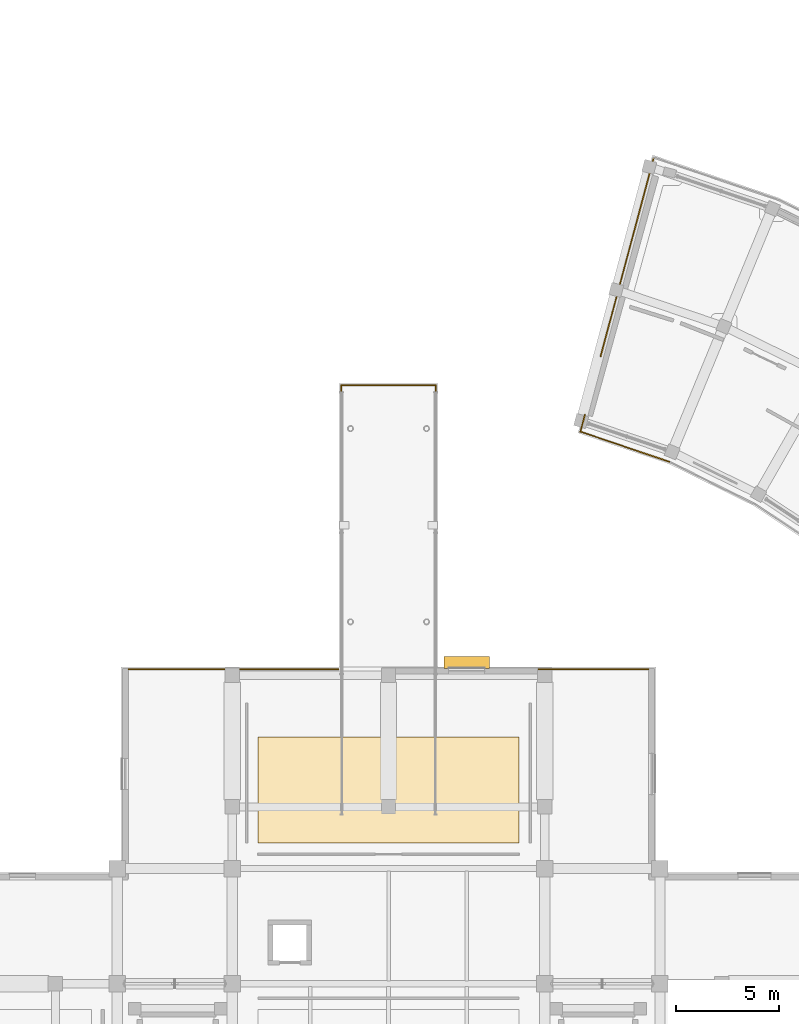
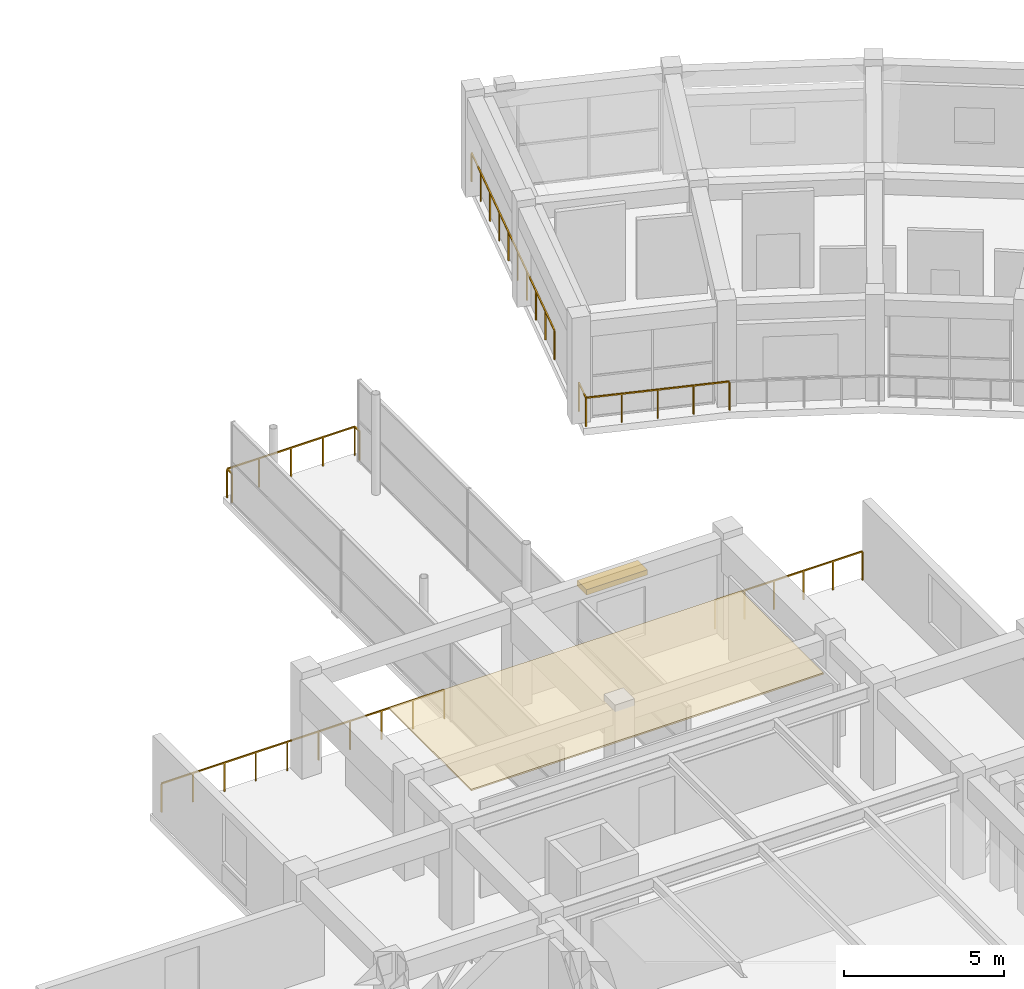
# One storey, part 67 of 70: 8 railings, 1 covering, 1 shading device.
"""IFC4 building model written with IfcOpenShell, lengths in metres."""

from ifc_helpers import new_model, si_unit, direction, frame, origin, origin_2d, place, context, subcontext, project, spatial, polyline, rectangle, outline, extrude, material, layer, layer_set, type_object, element, save


model = new_model("IFC4")

# Units and contexts
model_context = context("Model", 3, precision=1e-05, world=origin(), true_north=direction((0.0, 1.0)))
body_context = subcontext(model_context, "Body", "Model", "MODEL_VIEW")
ifc_project = project(units=[si_unit("LENGTHUNIT", "METRE"), si_unit("AREAUNIT", "SQUARE_METRE"), si_unit("VOLUMEUNIT", "CUBIC_METRE"), si_unit("PLANEANGLEUNIT", "RADIAN"), si_unit("MASSUNIT", "GRAM", prefix="KILO")], contexts=[model_context])

# Site, building, storey
site_placement = place(None, origin())
site = spatial("IfcSite", under=ifc_project, at=site_placement, CompositionType="ELEMENT")
building_placement = place(site_placement, origin())
building = spatial("IfcBuilding", under=site, at=building_placement, Name="Saryqyr Civic Hall", CompositionType="ELEMENT")
storey_placement = place(building_placement, frame((0.0, 0.0, 13.199951171875)))
storey = spatial("IfcBuildingStorey", under=building, at=storey_placement, Name="L03", CompositionType="ELEMENT", Elevation=13.199951171875)

# Shading device
ifc_material_1 = material(Name="Warm brushed brass-anodised aluminium", Category="aluminium")
shading_device_type = type_object("IfcShadingDeviceType", Name="ENV-SHD-LOUVRE", PredefinedType="JALOUSIE", material=ifc_material_1)
shading_device_placement = place(storey_placement, frame((60.800048828125, 107.22509765625, 2.88525390625), z_axis=(0.0, 0.0, 1.0), x_axis=(1.0, 0.0, 0.0)))
element("IfcShadingDevice", 1, at=shading_device_placement, inside=storey, type_object=shading_device_type, Name="Warm brass exterior louvre hood L03-05", PredefinedType="JALOUSIE", context=body_context, shape_type="SweptSolid", body=[
    extrude(rectangle(XDim=2.199951171875, YDim=0.60009765625, at=origin_2d()), origin(), (0.0, 0.0, 1.0), 0.199951171875),
])

# Covering
ifc_material_2 = material(Name="Mineral-fibre acoustic ceiling tile", Category="acoustic_tile")
ifc_layer_1 = layer(ifc_material_2, 0.06005859375, Name="Mineral-fibre acoustic ceiling tile")
ifc_layer_set_1 = layer_set([ifc_layer_1], Name="Mineral-fibre acoustic ceiling tile")
covering_type = type_object("IfcCoveringType", Name="INT-COV-CEIL-60", PredefinedType="CEILING", material=ifc_layer_set_1)
covering_placement = place(storey_placement, frame((0.0, 0.0, 3.72998046875)))
element("IfcCovering", 2, at=covering_placement, inside=storey, type_object=covering_type, Name="Acoustic ceiling Members' Policy Briefing Salon", PredefinedType="CEILING", context=body_context, shape_type="SweptSolid", body=[
    extrude(outline(polyline([(50.64990234375, 98.449951171875), (50.64990234375, 103.60009765625), (63.35009765625, 103.60009765625), (63.35009765625, 98.449951171875), (50.64990234375, 98.449951171875)])), origin(), (0.0, 0.0, 1.0), 0.06005859375),
])

# Railings
ifc_material_3 = material(Name="Warm brushed brass and laminated glass", Category="glass")
ifc_layer_2 = layer(ifc_material_3, 0.06005859375, Name="Warm brushed brass and laminated glass")
ifc_layer_set_2 = layer_set([ifc_layer_2], Name="Warm brushed brass and laminated glass")
railing_type = type_object("IfcRailingType", Name="INT-RLG-BAL-1100", PredefinedType="BALUSTRADE", material=ifc_layer_set_2)
railing_1_placement = place(storey_placement, frame((44.364990234375, 106.89990234375, 0.0)))
element("IfcRailing", 3, at=railing_1_placement, inside=storey, type_object=railing_type, Name="Interior deck safety balustrade L03-026", PredefinedType="BALUSTRADE", context=body_context, shape_type="SweptSolid", body=[
    extrude(rectangle(XDim=0.048095703125, YDim=0.048095703125, at=origin_2d()), frame((0.0, 0.0, 1.09619140625), z_axis=(1.0, 0.0, 0.0), x_axis=(0.0, 1.0, 0.0)), (0.0, 0.0, 1.0), 10.195068359375),
    extrude(rectangle(XDim=0.0419921875, YDim=0.0419921875, at=origin_2d()), origin(), (0.0, 0.0, 1.0), 1.072021484375),
    extrude(rectangle(XDim=0.0419921875, YDim=0.0419921875, at=origin_2d()), frame((1.1328125, 0.0, 0.0)), (0.0, 0.0, 1.0), 1.072021484375),
    extrude(rectangle(XDim=0.0419921875, YDim=0.0419921875, at=origin_2d()), frame((2.265625, 0.0, 0.0)), (0.0, 0.0, 1.0), 1.072021484375),
    extrude(rectangle(XDim=0.0419921875, YDim=0.0419921875, at=origin_2d()), frame((3.3984375, 0.0, 0.0)), (0.0, 0.0, 1.0), 1.072021484375),
    extrude(rectangle(XDim=0.0419921875, YDim=0.0419921875, at=origin_2d()), frame((4.53125, 0.0, 0.0)), (0.0, 0.0, 1.0), 1.072021484375),
    extrude(rectangle(XDim=0.0419921875, YDim=0.0419921875, at=origin_2d()), frame((5.663818359375, 0.0, 0.0)), (0.0, 0.0, 1.0), 1.072021484375),
    extrude(rectangle(XDim=0.0419921875, YDim=0.0419921875, at=origin_2d()), frame((6.796630859375, 0.0, 0.0)), (0.0, 0.0, 1.0), 1.072021484375),
    extrude(rectangle(XDim=0.0419921875, YDim=0.0419921875, at=origin_2d()), frame((7.929443359375, 0.0, 0.0)), (0.0, 0.0, 1.0), 1.072021484375),
    extrude(rectangle(XDim=0.0419921875, YDim=0.0419921875, at=origin_2d()), frame((9.062255859375, 0.0, 0.0)), (0.0, 0.0, 1.0), 1.072021484375),
    extrude(rectangle(XDim=0.0419921875, YDim=0.0419921875, at=origin_2d()), frame((10.195068359375, 0.0, 0.0)), (0.0, 0.0, 1.0), 1.072021484375),
])
railing_2_placement = place(storey_placement, frame((54.699951171875, 120.39990234375, 0.0)))
element("IfcRailing", 4, at=railing_2_placement, inside=storey, type_object=railing_type, Name="Interior deck safety balustrade L03-027", PredefinedType="BALUSTRADE", context=body_context, shape_type="SweptSolid", body=[
    extrude(rectangle(XDim=0.048095703125, YDim=0.048095703125, at=origin_2d()), frame((0.0, 0.0, 1.09619140625), z_axis=(0.0, 1.0, 0.0), x_axis=(-1.0, 0.0, 0.0)), (0.0, 0.0, 1.0), 0.300048828125),
    extrude(rectangle(XDim=0.0419921875, YDim=0.0419921875, at=origin_2d()), origin(), (0.0, 0.0, 1.0), 1.072021484375),
    extrude(rectangle(XDim=0.0419921875, YDim=0.0419921875, at=origin_2d()), frame((0.0, 0.300048828125, 0.0)), (0.0, 0.0, 1.0), 1.072021484375),
])
railing_3_placement = place(storey_placement, frame((54.699951171875, 120.699951171875, 0.0)))
element("IfcRailing", 5, at=railing_3_placement, inside=storey, type_object=railing_type, Name="Interior deck safety balustrade L03-028", PredefinedType="BALUSTRADE", context=body_context, shape_type="SweptSolid", body=[
    extrude(rectangle(XDim=0.048095703125, YDim=0.048095703125, at=origin_2d()), frame((0.0, 0.0, 1.09619140625), z_axis=(1.0, 0.0, 0.0), x_axis=(0.0, 1.0, 0.0)), (0.0, 0.0, 1.0), 4.60009765625),
    extrude(rectangle(XDim=0.0419921875, YDim=0.0419921875, at=origin_2d()), origin(), (0.0, 0.0, 1.0), 1.072021484375),
    extrude(rectangle(XDim=0.0419921875, YDim=0.0419921875, at=origin_2d()), frame((1.14990234375, 0.0, 0.0)), (0.0, 0.0, 1.0), 1.072021484375),
    extrude(rectangle(XDim=0.0419921875, YDim=0.0419921875, at=origin_2d()), frame((2.300048828125, 0.0, 0.0)), (0.0, 0.0, 1.0), 1.072021484375),
    extrude(rectangle(XDim=0.0419921875, YDim=0.0419921875, at=origin_2d()), frame((3.4501953125, 0.0, 0.0)), (0.0, 0.0, 1.0), 1.072021484375),
    extrude(rectangle(XDim=0.0419921875, YDim=0.0419921875, at=origin_2d()), frame((4.60009765625, 0.0, 0.0)), (0.0, 0.0, 1.0), 1.072021484375),
])
railing_4_placement = place(storey_placement, frame((59.300048828125, 120.699951171875, 0.0)))
element("IfcRailing", 6, at=railing_4_placement, inside=storey, type_object=railing_type, Name="Interior deck safety balustrade L03-029", PredefinedType="BALUSTRADE", context=body_context, shape_type="SweptSolid", body=[
    extrude(rectangle(XDim=0.048095703125, YDim=0.048095703125, at=origin_2d()), frame((0.0, 0.0, 1.09619140625), z_axis=(0.0, -1.0, 0.0), x_axis=(1.0, 0.0, 0.0)), (0.0, 0.0, 1.0), 0.300048828125),
    extrude(rectangle(XDim=0.0419921875, YDim=0.0419921875, at=origin_2d()), origin(), (0.0, 0.0, 1.0), 1.072021484375),
    extrude(rectangle(XDim=0.0419921875, YDim=0.0419921875, at=origin_2d()), frame((0.0, -0.300048828125, 0.0)), (0.0, 0.0, 1.0), 1.072021484375),
])
railing_5_placement = place(storey_placement, frame((64.31494140625, 106.89990234375, 0.0)))
element("IfcRailing", 7, at=railing_5_placement, inside=storey, type_object=railing_type, Name="Interior deck safety balustrade L03-030", PredefinedType="BALUSTRADE", context=body_context, shape_type="SweptSolid", body=[
    extrude(rectangle(XDim=0.048095703125, YDim=0.048095703125, at=origin_2d()), frame((0.0, 0.0, 1.09619140625), z_axis=(1.0, 0.0, 0.0), x_axis=(0.0, 1.0, 0.0)), (0.0, 0.0, 1.0), 5.320068359375),
    extrude(rectangle(XDim=0.0419921875, YDim=0.0419921875, at=origin_2d()), origin(), (0.0, 0.0, 1.0), 1.072021484375),
    extrude(rectangle(XDim=0.0419921875, YDim=0.0419921875, at=origin_2d()), frame((1.06396484375, 0.0, 0.0)), (0.0, 0.0, 1.0), 1.072021484375),
    extrude(rectangle(XDim=0.0419921875, YDim=0.0419921875, at=origin_2d()), frame((2.1279296875, 0.0, 0.0)), (0.0, 0.0, 1.0), 1.072021484375),
    extrude(rectangle(XDim=0.0419921875, YDim=0.0419921875, at=origin_2d()), frame((3.192138671875, 0.0, 0.0)), (0.0, 0.0, 1.0), 1.072021484375),
    extrude(rectangle(XDim=0.0419921875, YDim=0.0419921875, at=origin_2d()), frame((4.256103515625, 0.0, 0.0)), (0.0, 0.0, 1.0), 1.072021484375),
    extrude(rectangle(XDim=0.0419921875, YDim=0.0419921875, at=origin_2d()), frame((5.320068359375, 0.0, 0.0)), (0.0, 0.0, 1.0), 1.072021484375),
])
railing_6_placement = place(storey_placement, frame((70.661865234375, 116.982666015625, 0.0)))
element("IfcRailing", 8, at=railing_6_placement, inside=storey, type_object=railing_type, Name="Interior deck safety balustrade L03-044", PredefinedType="BALUSTRADE", context=body_context, shape_type="SweptSolid", body=[
    extrude(rectangle(XDim=0.048095703125, YDim=0.048095703125, at=origin_2d()), frame((0.0, 0.0, 1.09619140625), z_axis=(-0.946921791476, 0.321464027269, 0.0), x_axis=(-0.321464027269, -0.946921791476, 0.0)), (0.0, 0.0, 1.0), 4.569580078125),
    extrude(rectangle(XDim=0.0419921875, YDim=0.0419921875, at=origin_2d()), origin(), (0.0, 0.0, 1.0), 1.072021484375),
    extrude(rectangle(XDim=0.0419921875, YDim=0.0419921875, at=origin_2d()), frame((-1.081787109375, 0.3671875, 0.0)), (0.0, 0.0, 1.0), 1.072021484375),
    extrude(rectangle(XDim=0.0419921875, YDim=0.0419921875, at=origin_2d()), frame((-2.16357421875, 0.734375, 0.0)), (0.0, 0.0, 1.0), 1.072021484375),
    extrude(rectangle(XDim=0.0419921875, YDim=0.0419921875, at=origin_2d()), frame((-3.245361328125, 1.101806640625, 0.0)), (0.0, 0.0, 1.0), 1.072021484375),
    extrude(rectangle(XDim=0.0419921875, YDim=0.0419921875, at=origin_2d()), frame((-4.3271484375, 1.468994140625, 0.0)), (0.0, 0.0, 1.0), 1.072021484375),
])
railing_7_placement = place(storey_placement, frame((66.334716796875, 118.45166015625, 0.0)))
element("IfcRailing", 9, at=railing_7_placement, inside=storey, type_object=railing_type, Name="Interior deck safety balustrade L03-045", PredefinedType="BALUSTRADE", context=body_context, shape_type="SweptSolid", body=[
    extrude(rectangle(XDim=0.048095703125, YDim=0.048095703125, at=origin_2d()), frame((0.0, 0.0, 1.09619140625), z_axis=(0.258797820574, 0.965931513134, 0.0), x_axis=(-0.965931513134, 0.258797820574, 0.0)), (0.0, 0.0, 1.0), 0.856689453125),
    extrude(rectangle(XDim=0.0419921875, YDim=0.0419921875, at=origin_2d()), origin(), (0.0, 0.0, 1.0), 1.072021484375),
    extrude(rectangle(XDim=0.0419921875, YDim=0.0419921875, at=origin_2d()), frame((0.2216796875, 0.827392578125, 0.0)), (0.0, 0.0, 1.0), 1.072021484375),
])
railing_8_placement = place(storey_placement, frame((67.3134765625, 122.104248046875, 0.0)))
element("IfcRailing", 10, at=railing_8_placement, inside=storey, type_object=railing_type, Name="Interior deck safety balustrade L03-046", PredefinedType="BALUSTRADE", context=body_context, shape_type="SweptSolid", body=[
    extrude(rectangle(XDim=0.048095703125, YDim=0.048095703125, at=origin_2d()), frame((0.0, 0.0, 1.09619140625), z_axis=(0.258831910076, 0.965922379038, 0.0), x_axis=(-0.965922379038, 0.258831910076, 0.0)), (0.0, 0.0, 1.0), 10.01806640625),
    extrude(rectangle(XDim=0.0419921875, YDim=0.0419921875, at=origin_2d()), origin(), (0.0, 0.0, 1.0), 1.072021484375),
    extrude(rectangle(XDim=0.0419921875, YDim=0.0419921875, at=origin_2d()), frame((0.2880859375, 1.0751953125, 0.0)), (0.0, 0.0, 1.0), 1.072021484375),
    extrude(rectangle(XDim=0.0419921875, YDim=0.0419921875, at=origin_2d()), frame((0.576171875, 2.150390625, 0.0)), (0.0, 0.0, 1.0), 1.072021484375),
    extrude(rectangle(XDim=0.0419921875, YDim=0.0419921875, at=origin_2d()), frame((0.8642578125, 3.2255859375, 0.0)), (0.0, 0.0, 1.0), 1.072021484375),
    extrude(rectangle(XDim=0.0419921875, YDim=0.0419921875, at=origin_2d()), frame((1.15234375, 4.30078125, 0.0)), (0.0, 0.0, 1.0), 1.072021484375),
    extrude(rectangle(XDim=0.0419921875, YDim=0.0419921875, at=origin_2d()), frame((1.440673828125, 5.3759765625, 0.0)), (0.0, 0.0, 1.0), 1.072021484375),
    extrude(rectangle(XDim=0.0419921875, YDim=0.0419921875, at=origin_2d()), frame((1.728759765625, 6.451171875, 0.0)), (0.0, 0.0, 1.0), 1.072021484375),
    extrude(rectangle(XDim=0.0419921875, YDim=0.0419921875, at=origin_2d()), frame((2.016845703125, 7.5263671875, 0.0)), (0.0, 0.0, 1.0), 1.072021484375),
    extrude(rectangle(XDim=0.0419921875, YDim=0.0419921875, at=origin_2d()), frame((2.304931640625, 8.6015625, 0.0)), (0.0, 0.0, 1.0), 1.072021484375),
    extrude(rectangle(XDim=0.0419921875, YDim=0.0419921875, at=origin_2d()), frame((2.593017578125, 9.6767578125, 0.0)), (0.0, 0.0, 1.0), 1.072021484375),
])

save(model, "model.ifc")
